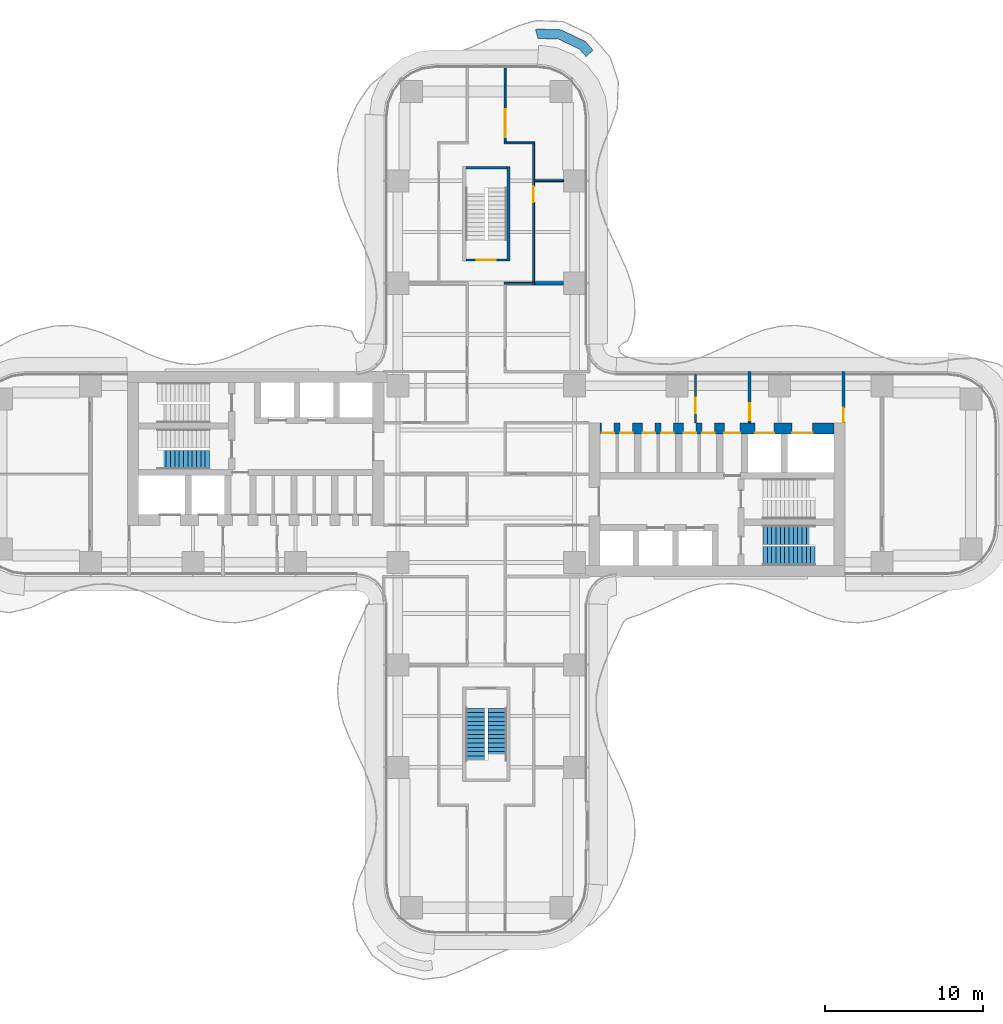
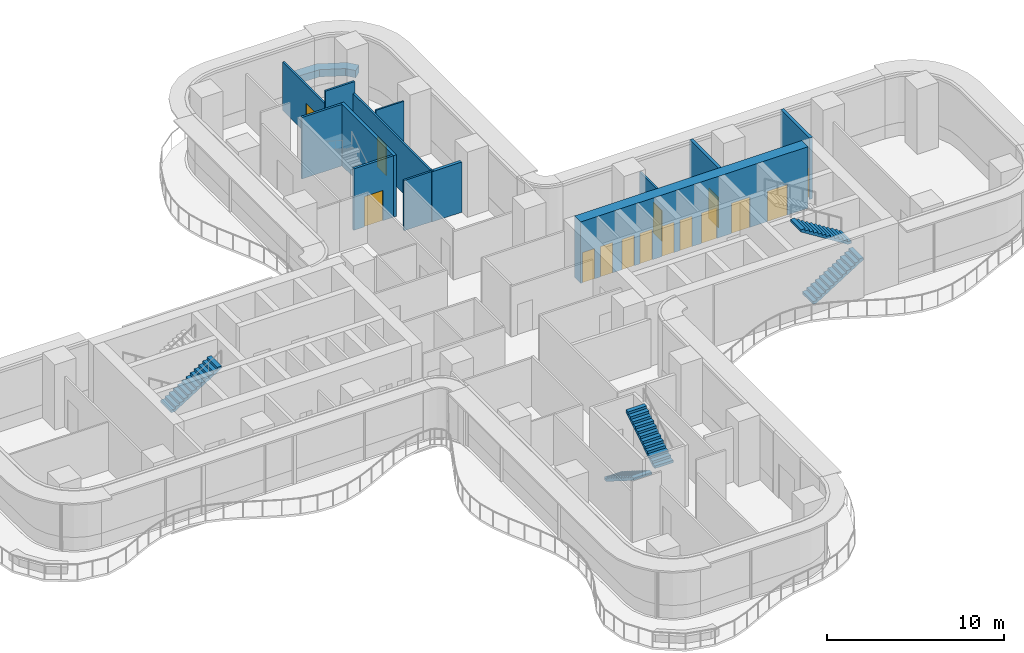
# One storey, part 20 of 23: 15 doors, 14 walls, 5 stair flights, 15 openings, 3 elements without a shape of their own.
"""IFC4 building model written with IfcOpenShell, lengths in metres."""

from ifc_helpers import new_model, si_unit, direction, frame, frame_2d, origin, place, context, subcontext, project, spatial, polyline, rectangle, outline, extrude, source, transform, mapped, material, layer, layer_set, type_object, element, fill, aggregate, save


model = new_model("IFC4")

# Units and contexts
model_context = context("Model", 3, precision=1e-05, world=origin(), true_north=direction((0.0, 1.0)))
body_context = subcontext(model_context, "Body", "Model", "MODEL_VIEW")
ifc_project = project(units=[si_unit("LENGTHUNIT", "METRE"), si_unit("AREAUNIT", "SQUARE_METRE"), si_unit("VOLUMEUNIT", "CUBIC_METRE"), si_unit("PLANEANGLEUNIT", "RADIAN"), si_unit("MASSUNIT", "GRAM", prefix="KILO")], contexts=[model_context])

# Site, building, storey
site_placement = place(None, origin())
site = spatial("IfcSite", under=ifc_project, at=site_placement, CompositionType="ELEMENT")
building_placement = place(site_placement, origin())
building = spatial("IfcBuilding", under=site, at=building_placement, Name="Trellis Farm Tower", CompositionType="ELEMENT")
storey_placement = place(building_placement, frame((0.0, 0.0, 74.5)))
storey = spatial("IfcBuildingStorey", under=building, at=storey_placement, Name="L15", CompositionType="ELEMENT", Elevation=74.5)

# Wall
ifc_material_1 = material(Name="Sandstone faced masonry planter", Category="masonry")
ifc_layer_1 = layer(ifc_material_1, 0.60009765625)
ifc_layer_set_1 = layer_set([ifc_layer_1], Name="PLANTER BED 600")
wall_type_1 = type_object("IfcWallType", Name="PLANTER BED 600", PredefinedType="USERDEFINED", material=ifc_layer_set_1)
placement = place(storey_placement, origin())
element("IfcWall", 1, at=placement, inside=storey, type_object=wall_type_1, Name="PLANTER bed", ObjectType="PLANTER", PredefinedType="USERDEFINED", context=body_context, shape_type="SweptSolid", body=[
    extrude(outline(polyline([(4.738525390625, 28.17626953125), (6.285400390625, 27.433349609375), (6.773193359375, 26.87353515625), (6.32080078125, 26.4794921875), (5.914306640625, 26.946044921875), (4.592529296875, 27.580810546875), (3.32470703125, 27.622802734375), (3.28515625, 27.611572265625), (3.1201171875, 28.1884765625), (3.250244140625, 28.2255859375), (4.738525390625, 28.17626953125)])), origin(), (0.0, 0.0, 1.0), 0.5),
])

# Wall, opening, door
ifc_material_2 = material(Name="Masonry blockwork", Category="masonry")
ifc_layer_2 = layer(ifc_material_2, 0.199951171875)
ifc_layer_set_2 = layer_set([ifc_layer_2], Name="FIRE LOBBY PARTITION 200 BLOCKWORK")
wall_type_2 = type_object("IfcWallType", Name="FIRE LOBBY PARTITION 200 BLOCKWORK", PredefinedType="PARTITIONING", material=ifc_layer_set_2)
shared_shape_1 = source(origin(), body_context, "Body", "SweptSolid", [
    extrude(rectangle(XDim=3.25, YDim=0.199951171875, at=frame_2d((1.625, 0.0))), origin(), (0.0, 0.0, 1.0), 4.25),
])
wall_2_placement = place(storey_placement, frame((16.699951171875, 3.25, 0.0), z_axis=(0.0, 0.0, 1.0), x_axis=(0.0, 1.0, 0.0)))
wall_2 = element("IfcWall", 2, at=wall_2_placement, inside=storey, type_object=wall_type_2, Name="Fire-fighting lobby partition", PredefinedType="PARTITIONING", context=body_context, shape_type="MappedRepresentation", body=[
    mapped(shared_shape_1, transform((0.0, 0.0, 0.0))),
])
shared_shape_2 = source(origin(), body_context, "Body", "SweptSolid", [
    extrude(rectangle(XDim=1.10009765625, YDim=2.10009765625, at=frame_2d((0.550048828125, 1.050048828125))), frame((0.0, 0.110107421875, 0.0), z_axis=(0.0, -1.0, 0.0), x_axis=(1.0, 0.0, 0.0)), (0.0, 0.0, 1.0), 0.22021484375),
])
opening_1_placement = place(wall_2_placement, frame((0.14990234375, 0.0, 0.0)))
opening_1 = element("IfcOpeningElement", 3, at=opening_1_placement, cuts=wall_2, Name="Opening DC7", PredefinedType="OPENING", context=body_context, shape_type="MappedRepresentation", body=[
    mapped(shared_shape_2, transform((0.0, 0.0, 0.0))),
])
ifc_material_3 = material(Name="Steel", Category="steel")
door_type_1 = type_object("IfcDoorType", Name="CORE FIRE DOOR 1100 X 2100", OperationType="NOTDEFINED", PredefinedType="DOOR", material=ifc_material_3)
shared_shape_3 = source(origin(), body_context, "Body", "SweptSolid", [
    extrude(rectangle(XDim=1.10009765625, YDim=2.10009765625, at=frame_2d((0.550048828125, 1.050048828125))), frame((0.0, 0.02490234375, 0.0), z_axis=(0.0, -1.0, 0.0), x_axis=(1.0, 0.0, 0.0)), (0.0, 0.0, 1.0), 0.050048828125),
])
door_1_placement = place(opening_1_placement, origin())
door_1 = element("IfcDoor", 4, at=door_1_placement, inside=storey, type_object=door_type_1, Name="Core door", OperationType="SINGLE_SWING_RIGHT", OverallHeight=2.10009765625, OverallWidth=1.10009765625, PredefinedType="DOOR", context=body_context, shape_type="MappedRepresentation", body=[
    mapped(shared_shape_3, transform((0.0, 0.0, 0.0))),
])
fill(opening_1, door_1)

wall_3_placement = place(storey_placement, frame((22.64990234375, 3.25, 0.0), z_axis=(0.0, 0.0, 1.0), x_axis=(0.0, 1.0, 0.0)))
wall_3 = element("IfcWall", 5, at=wall_3_placement, inside=storey, type_object=wall_type_2, Name="Fire-fighting lobby partition", PredefinedType="PARTITIONING", context=body_context, shape_type="MappedRepresentation", body=[
    mapped(shared_shape_1, transform((0.0, 0.0, 0.0))),
])
shared_shape_4 = source(origin(), body_context, "Body", "SweptSolid", [
    extrude(rectangle(XDim=0.89990234375, YDim=2.10009765625, at=frame_2d((0.449951171875, 1.050048828125))), frame((0.0, 0.110107421875, 0.0), z_axis=(0.0, -1.0, 0.0), x_axis=(1.0, 0.0, 0.0)), (0.0, 0.0, 1.0), 0.22021484375),
])
opening_2_placement = place(wall_3_placement, frame((0.050048828125, 0.0, 0.0)))
opening_2 = element("IfcOpeningElement", 6, at=opening_2_placement, cuts=wall_3, Name="Opening DC8", PredefinedType="OPENING", context=body_context, shape_type="MappedRepresentation", body=[
    mapped(shared_shape_4, transform((0.0, 0.0, 0.0))),
])
door_type_2 = type_object("IfcDoorType", Name="CORE FIRE DOOR 900 X 2100", OperationType="NOTDEFINED", PredefinedType="DOOR", material=ifc_material_3)
shared_shape_5 = source(origin(), body_context, "Body", "SweptSolid", [
    extrude(rectangle(XDim=0.89990234375, YDim=2.10009765625, at=frame_2d((0.449951171875, 1.050048828125))), frame((0.0, 0.02490234375, 0.0), z_axis=(0.0, -1.0, 0.0), x_axis=(1.0, 0.0, 0.0)), (0.0, 0.0, 1.0), 0.050048828125),
])
door_2_placement = place(opening_2_placement, origin())
door_2 = element("IfcDoor", 7, at=door_2_placement, inside=storey, type_object=door_type_2, Name="Core door", OperationType="SINGLE_SWING_RIGHT", OverallHeight=2.10009765625, OverallWidth=0.89990234375, PredefinedType="DOOR", context=body_context, shape_type="MappedRepresentation", body=[
    mapped(shared_shape_5, transform((0.0, 0.0, 0.0))),
])
fill(opening_2, door_2)

# Wall, openings, doors
ifc_material_4 = material(Name="Concrete C80/95", Category="concrete")
ifc_layer_3 = layer(ifc_material_4, 0.699951171875)
ifc_layer_set_3 = layer_set([ifc_layer_3], Name="CORE OUTER WALL 700 CONCRETE C80/95")
wall_type_3 = type_object("IfcWallType", Name="CORE OUTER WALL 700 CONCRETE C80/95", PredefinedType="SHEAR", material=ifc_layer_set_3)
shared_shape_6 = source(origin(), body_context, "Body", "SweptSolid", [
    extrude(rectangle(XDim=14.85009765625, YDim=0.699951171875, at=frame_2d((7.425048828125, 0.0))), origin(), (0.0, 0.0, 1.0), 4.25),
])
wall_4_placement = place(storey_placement, frame((7.199951171875, 2.89990234375, 0.0), z_axis=(0.0, 0.0, 1.0), x_axis=(1.0, 0.0, 0.0)))
wall_4 = element("IfcWall", 8, at=wall_4_placement, inside=storey, type_object=wall_type_3, Name="Core wall", PredefinedType="SHEAR", context=body_context, shape_type="MappedRepresentation", body=[
    mapped(shared_shape_6, transform((0.0, 0.0, 0.0))),
])
shared_shape_7 = source(origin(), body_context, "Body", "SweptSolid", [
    extrude(rectangle(XDim=1.300048828125, YDim=2.10009765625, at=frame_2d((0.64990234375, 1.050048828125))), frame((0.0, 0.360107421875, 0.0), z_axis=(0.0, -1.0, 0.0), x_axis=(1.0, 0.0, 0.0)), (0.0, 0.0, 1.0), 0.72021484375),
])
opening_3_placement = place(wall_4_placement, frame((12.199951171875, 0.0, 0.0)))
opening_3 = element("IfcOpeningElement", 9, at=opening_3_placement, cuts=wall_4, Name="Opening LD7", PredefinedType="OPENING", context=body_context, shape_type="MappedRepresentation", body=[
    mapped(shared_shape_7, transform((0.0, 0.0, 0.0))),
])
shared_shape_8 = source(origin(), body_context, "Body", "SweptSolid", [
    extrude(rectangle(XDim=1.199951171875, YDim=2.10009765625, at=frame_2d((0.60009765625, 1.050048828125))), frame((0.0, 0.360107421875, 0.0), z_axis=(0.0, -1.0, 0.0), x_axis=(1.0, 0.0, 0.0)), (0.0, 0.0, 1.0), 0.72021484375),
])
opening_4_placement = place(wall_4_placement, frame((9.85009765625, 0.0, 0.0)))
opening_4 = element("IfcOpeningElement", 10, at=opening_4_placement, cuts=wall_4, Name="Opening LD8", PredefinedType="OPENING", context=body_context, shape_type="MappedRepresentation", body=[
    mapped(shared_shape_8, transform((0.0, 0.0, 0.0))),
])
shared_shape_9 = source(origin(), body_context, "Body", "SweptSolid", [
    extrude(rectangle(XDim=1.0, YDim=2.10009765625, at=frame_2d((0.5, 1.050048828125))), frame((0.0, 0.360107421875, 0.0), z_axis=(0.0, -1.0, 0.0), x_axis=(1.0, 0.0, 0.0)), (0.0, 0.0, 1.0), 0.72021484375),
])
opening_5_placement = place(wall_4_placement, frame((7.89990234375, 0.0, 0.0)))
opening_5 = element("IfcOpeningElement", 11, at=opening_5_placement, cuts=wall_4, Name="Opening DC6", PredefinedType="OPENING", context=body_context, shape_type="MappedRepresentation", body=[
    mapped(shared_shape_9, transform((0.0, 0.0, 0.0))),
])
shared_shape_10 = source(origin(), body_context, "Body", "SweptSolid", [
    extrude(rectangle(XDim=0.800048828125, YDim=2.10009765625, at=frame_2d((0.39990234375, 1.050048828125))), frame((0.0, 0.360107421875, 0.0), z_axis=(0.0, -1.0, 0.0), x_axis=(1.0, 0.0, 0.0)), (0.0, 0.0, 1.0), 0.72021484375),
])
opening_6_placement = place(wall_4_placement, frame((0.112548828125, 0.0, 0.0)))
opening_6 = element("IfcOpeningElement", 12, at=opening_6_placement, cuts=wall_4, Name="Opening DC9", PredefinedType="OPENING", context=body_context, shape_type="MappedRepresentation", body=[
    mapped(shared_shape_10, transform((0.0, 0.0, 0.0))),
])
opening_7_placement = place(wall_4_placement, frame((1.28759765625, 0.0, 0.0)))
opening_7 = element("IfcOpeningElement", 13, at=opening_7_placement, cuts=wall_4, Name="Opening DC16", PredefinedType="OPENING", context=body_context, shape_type="MappedRepresentation", body=[
    mapped(shared_shape_10, transform((0.0, 0.0, 0.0))),
])
opening_8_placement = place(wall_4_placement, frame((2.71240234375, 0.0, 0.0)))
opening_8 = element("IfcOpeningElement", 14, at=opening_8_placement, cuts=wall_4, Name="Opening DC21", PredefinedType="OPENING", context=body_context, shape_type="MappedRepresentation", body=[
    mapped(shared_shape_10, transform((0.0, 0.0, 0.0))),
])
opening_9_placement = place(wall_4_placement, frame((3.887451171875, 0.0, 0.0)))
opening_9 = element("IfcOpeningElement", 15, at=opening_9_placement, cuts=wall_4, Name="Opening DC28", PredefinedType="OPENING", context=body_context, shape_type="MappedRepresentation", body=[
    mapped(shared_shape_10, transform((0.0, 0.0, 0.0))),
])
opening_10_placement = place(wall_4_placement, frame((5.3125, 0.0, 0.0)))
opening_10 = element("IfcOpeningElement", 16, at=opening_10_placement, cuts=wall_4, Name="Opening DC33", PredefinedType="OPENING", context=body_context, shape_type="MappedRepresentation", body=[
    mapped(shared_shape_10, transform((0.0, 0.0, 0.0))),
])
opening_11_placement = place(wall_4_placement, frame((6.487548828125, 0.0, 0.0)))
opening_11 = element("IfcOpeningElement", 17, at=opening_11_placement, cuts=wall_4, Name="Opening DC40", PredefinedType="OPENING", context=body_context, shape_type="MappedRepresentation", body=[
    mapped(shared_shape_10, transform((0.0, 0.0, 0.0))),
])
door_type_3 = type_object("IfcDoorType", Name="CORE FIRE DOOR 1000 X 2100", OperationType="NOTDEFINED", PredefinedType="DOOR", material=ifc_material_3)
shared_shape_11 = source(origin(), body_context, "Body", "SweptSolid", [
    extrude(rectangle(XDim=1.0, YDim=2.10009765625, at=frame_2d((0.5, 1.050048828125))), frame((0.0, -0.27490234375, 0.0), z_axis=(0.0, -1.0, 0.0), x_axis=(1.0, 0.0, 0.0)), (0.0, 0.0, 1.0), 0.050048828125),
])
door_3_placement = place(opening_5_placement, origin())
door_3 = element("IfcDoor", 18, at=door_3_placement, inside=storey, type_object=door_type_3, Name="Core door", OperationType="SINGLE_SWING_LEFT", OverallHeight=2.10009765625, OverallWidth=1.0, PredefinedType="DOOR", context=body_context, shape_type="MappedRepresentation", body=[
    mapped(shared_shape_11, transform((0.0, 0.0, 0.0))),
])
fill(opening_5, door_3)
ifc_material_5 = material(Name="Stainless steel", Category="steel")
door_type_4 = type_object("IfcDoorType", Name="LIFT LANDING DOOR 1300 X 2100", OperationType="DOUBLE_DOOR_SLIDING", PredefinedType="DOOR", material=ifc_material_5)
shared_shape_12 = source(origin(), body_context, "Body", "SweptSolid", [
    extrude(rectangle(XDim=1.300048828125, YDim=2.10009765625, at=frame_2d((0.64990234375, 1.050048828125))), frame((0.0, -0.27490234375, 0.0), z_axis=(0.0, -1.0, 0.0), x_axis=(1.0, 0.0, 0.0)), (0.0, 0.0, 1.0), 0.050048828125),
])
door_4_placement = place(opening_3_placement, origin())
door_4 = element("IfcDoor", 19, at=door_4_placement, inside=storey, type_object=door_type_4, Name="Lift landing door", OperationType="DOUBLE_DOOR_SLIDING", OverallHeight=2.10009765625, OverallWidth=1.300048828125, PredefinedType="DOOR", context=body_context, shape_type="MappedRepresentation", body=[
    mapped(shared_shape_12, transform((0.0, 0.0, 0.0))),
])
fill(opening_3, door_4)
door_type_5 = type_object("IfcDoorType", Name="LIFT LANDING DOOR 1200 X 2100", OperationType="DOUBLE_DOOR_SLIDING", PredefinedType="DOOR", material=ifc_material_5)
shared_shape_13 = source(origin(), body_context, "Body", "SweptSolid", [
    extrude(rectangle(XDim=1.199951171875, YDim=2.10009765625, at=frame_2d((0.60009765625, 1.050048828125))), frame((0.0, -0.27490234375, 0.0), z_axis=(0.0, -1.0, 0.0), x_axis=(1.0, 0.0, 0.0)), (0.0, 0.0, 1.0), 0.050048828125),
])
door_5_placement = place(opening_4_placement, origin())
door_5 = element("IfcDoor", 20, at=door_5_placement, inside=storey, type_object=door_type_5, Name="Lift landing door", OperationType="DOUBLE_DOOR_SLIDING", OverallHeight=2.10009765625, OverallWidth=1.199951171875, PredefinedType="DOOR", context=body_context, shape_type="MappedRepresentation", body=[
    mapped(shared_shape_13, transform((0.0, 0.0, 0.0))),
])
fill(opening_4, door_5)
door_type_6 = type_object("IfcDoorType", Name="CORE FIRE DOOR 800 X 2100", OperationType="NOTDEFINED", PredefinedType="DOOR", material=ifc_material_3)
shared_shape_14 = source(origin(), body_context, "Body", "SweptSolid", [
    extrude(rectangle(XDim=0.800048828125, YDim=2.10009765625, at=frame_2d((0.39990234375, 1.050048828125))), frame((0.0, -0.27490234375, 0.0), z_axis=(0.0, -1.0, 0.0), x_axis=(1.0, 0.0, 0.0)), (0.0, 0.0, 1.0), 0.050048828125),
])
door_6_placement = place(opening_6_placement, origin())
door_6 = element("IfcDoor", 21, at=door_6_placement, inside=storey, type_object=door_type_6, Name="Core door", OperationType="SINGLE_SWING_LEFT", OverallHeight=2.10009765625, OverallWidth=0.800048828125, PredefinedType="DOOR", context=body_context, shape_type="MappedRepresentation", body=[
    mapped(shared_shape_14, transform((0.0, 0.0, 0.0))),
])
fill(opening_6, door_6)
door_7_placement = place(opening_7_placement, origin())
door_7 = element("IfcDoor", 22, at=door_7_placement, inside=storey, type_object=door_type_6, Name="Core door", OperationType="SINGLE_SWING_RIGHT", OverallHeight=2.10009765625, OverallWidth=0.800048828125, PredefinedType="DOOR", context=body_context, shape_type="MappedRepresentation", body=[
    mapped(shared_shape_14, transform((0.0, 0.0, 0.0))),
])
fill(opening_7, door_7)
door_8_placement = place(opening_8_placement, origin())
door_8 = element("IfcDoor", 23, at=door_8_placement, inside=storey, type_object=door_type_6, Name="Core door", OperationType="SINGLE_SWING_LEFT", OverallHeight=2.10009765625, OverallWidth=0.800048828125, PredefinedType="DOOR", context=body_context, shape_type="MappedRepresentation", body=[
    mapped(shared_shape_14, transform((0.0, 0.0, 0.0))),
])
fill(opening_8, door_8)
door_9_placement = place(opening_9_placement, origin())
door_9 = element("IfcDoor", 24, at=door_9_placement, inside=storey, type_object=door_type_6, Name="Core door", OperationType="SINGLE_SWING_RIGHT", OverallHeight=2.10009765625, OverallWidth=0.800048828125, PredefinedType="DOOR", context=body_context, shape_type="MappedRepresentation", body=[
    mapped(shared_shape_14, transform((0.0, 0.0, 0.0))),
])
fill(opening_9, door_9)
door_10_placement = place(opening_10_placement, origin())
door_10 = element("IfcDoor", 25, at=door_10_placement, inside=storey, type_object=door_type_6, Name="Core door", OperationType="SINGLE_SWING_LEFT", OverallHeight=2.10009765625, OverallWidth=0.800048828125, PredefinedType="DOOR", context=body_context, shape_type="MappedRepresentation", body=[
    mapped(shared_shape_14, transform((0.0, 0.0, 0.0))),
])
fill(opening_10, door_10)
door_11_placement = place(opening_11_placement, origin())
door_11 = element("IfcDoor", 26, at=door_11_placement, inside=storey, type_object=door_type_6, Name="Core door", OperationType="SINGLE_SWING_RIGHT", OverallHeight=2.10009765625, OverallWidth=0.800048828125, PredefinedType="DOOR", context=body_context, shape_type="MappedRepresentation", body=[
    mapped(shared_shape_14, transform((0.0, 0.0, 0.0))),
])
fill(opening_11, door_11)

# Wall
ifc_layer_4 = layer(ifc_material_4, 0.199951171875)
ifc_layer_set_4 = layer_set([ifc_layer_4], Name="CORE STAIR ENCLOSURE WALL 200 CONCRETE C80/95")
wall_type_4 = type_object("IfcWallType", Name="CORE STAIR ENCLOSURE WALL 200 CONCRETE C80/95", PredefinedType="SHEAR", material=ifc_layer_set_4)
shared_shape_15 = source(origin(), body_context, "Body", "SweptSolid", [
    extrude(rectangle(XDim=6.0, YDim=0.199951171875, at=frame_2d((3.0, 0.0))), origin(), (0.0, 0.0, 1.0), 4.25),
])
wall_5_placement = place(storey_placement, frame((1.39990234375, 13.5, 0.0), z_axis=(0.0, 0.0, 1.0), x_axis=(0.0, 1.0, 0.0)))
element("IfcWall", 27, at=wall_5_placement, inside=storey, type_object=wall_type_4, Name="Stair enclosure wall", PredefinedType="SHEAR", context=body_context, shape_type="MappedRepresentation", body=[
    mapped(shared_shape_15, transform((0.0, 0.0, 0.0))),
])

# Wall, opening, door
ifc_layer_5 = layer(ifc_material_4, 0.14990234375)
ifc_layer_set_5 = layer_set([ifc_layer_5], Name="CORE STAIR ENCLOSURE WALL 150 CONCRETE C80/95")
wall_type_5 = type_object("IfcWallType", Name="CORE STAIR ENCLOSURE WALL 150 CONCRETE C80/95", PredefinedType="SHEAR", material=ifc_layer_set_5)
shared_shape_16 = source(origin(), body_context, "Body", "SweptSolid", [
    extrude(rectangle(XDim=2.60009765625, YDim=0.14990234375, at=frame_2d((1.300048828125, 0.0))), origin(), (0.0, 0.0, 1.0), 4.25),
])
wall_6_placement = place(storey_placement, frame((-1.300048828125, 13.574951171875, 0.0), z_axis=(0.0, 0.0, 1.0), x_axis=(1.0, 0.0, 0.0)))
wall_6 = element("IfcWall", 28, at=wall_6_placement, inside=storey, type_object=wall_type_5, Name="Stair enclosure wall", PredefinedType="SHEAR", context=body_context, shape_type="MappedRepresentation", body=[
    mapped(shared_shape_16, transform((0.0, 0.0, 0.0))),
])
shared_shape_17 = source(origin(), body_context, "Body", "SweptSolid", [
    extrude(rectangle(XDim=1.199951171875, YDim=2.10009765625, at=frame_2d((0.60009765625, 1.050048828125))), frame((0.0, 0.0849609375, 0.0), z_axis=(0.0, -1.0, 0.0), x_axis=(1.0, 0.0, 0.0)), (0.0, 0.0, 1.0), 0.169921875),
])
opening_12_placement = place(wall_6_placement, frame((0.699951171875, 0.0, 0.0)))
opening_12 = element("IfcOpeningElement", 29, at=opening_12_placement, cuts=wall_6, Name="Opening DC173", PredefinedType="OPENING", context=body_context, shape_type="MappedRepresentation", body=[
    mapped(shared_shape_17, transform((0.0, 0.0, 0.0))),
])
door_type_7 = type_object("IfcDoorType", Name="CORE FIRE DOOR 1200 X 2100", OperationType="NOTDEFINED", PredefinedType="DOOR", material=ifc_material_3)
shared_shape_18 = source(origin(), body_context, "Body", "SweptSolid", [
    extrude(rectangle(XDim=1.199951171875, YDim=2.10009765625, at=frame_2d((0.60009765625, 1.050048828125))), frame((0.0, 0.02490234375, 0.0), z_axis=(0.0, -1.0, 0.0), x_axis=(1.0, 0.0, 0.0)), (0.0, 0.0, 1.0), 0.050048828125),
])
door_12_placement = place(opening_12_placement, origin())
door_12 = element("IfcDoor", 30, at=door_12_placement, inside=storey, type_object=door_type_7, Name="Core door", OperationType="SINGLE_SWING_LEFT", OverallHeight=2.10009765625, OverallWidth=1.199951171875, PredefinedType="DOOR", context=body_context, shape_type="MappedRepresentation", body=[
    mapped(shared_shape_18, transform((0.0, 0.0, 0.0))),
])
fill(opening_12, door_12)

# Walls
wall_7_placement = place(storey_placement, frame((-1.300048828125, 19.425048828125, 0.0), z_axis=(0.0, 0.0, 1.0), x_axis=(1.0, 0.0, 0.0)))
element("IfcWall", 31, at=wall_7_placement, inside=storey, type_object=wall_type_5, Name="Stair enclosure wall", PredefinedType="SHEAR", context=body_context, shape_type="MappedRepresentation", body=[
    mapped(shared_shape_16, transform((0.0, 0.0, 0.0))),
])
ifc_material_6 = material(Name="Plasterboard on steel studs, mineral wool", Category="steel")
ifc_layer_6 = layer(ifc_material_6, 0.125)
ifc_layer_set_6 = layer_set([ifc_layer_6], Name="PARTITION 125 STUD EI 60")
wall_type_6 = type_object("IfcWallType", Name="PARTITION 125 STUD EI 60", PredefinedType="PARTITIONING", material=ifc_layer_set_6)
shared_shape_19 = source(origin(), body_context, "Body", "SweptSolid", [
    extrude(rectangle(XDim=1.925048828125, YDim=0.125, at=frame_2d((0.96240234375, 0.0))), origin(), (0.0, 0.0, 1.0), 3.4677734375),
])
wall_8_placement = place(storey_placement, frame((3.0625, 12.10009765625, 0.0), z_axis=(0.0, 0.0, 1.0), x_axis=(-1.0, 0.0, 0.0)))
element("IfcWall", 32, at=wall_8_placement, inside=storey, type_object=wall_type_6, Name="Partition PW1", PredefinedType="PARTITIONING", context=body_context, shape_type="MappedRepresentation", body=[
    mapped(shared_shape_19, transform((0.0, 0.0, 0.0))),
])
ifc_material_7 = material(Name="Lightweight blockwork, plastered", Category="masonry")
ifc_layer_7 = layer(ifc_material_7, 0.199951171875)
ifc_layer_set_7 = layer_set([ifc_layer_7], Name="BLOCK WALL 200 EI 120")
wall_type_7 = type_object("IfcWallType", Name="BLOCK WALL 200 EI 120", PredefinedType="PARTITIONING", material=ifc_layer_set_7)
shared_shape_20 = source(origin(), body_context, "Body", "SweptSolid", [
    extrude(rectangle(XDim=1.96240234375, YDim=0.199951171875, at=frame_2d((0.981201171875, 0.0))), origin(), (0.0, 0.0, 1.0), 3.4677734375),
])
wall_9_placement = place(storey_placement, frame((2.9375, 12.10009765625, 0.0), z_axis=(0.0, 0.0, 1.0), x_axis=(1.0, 0.0, 0.0)))
element("IfcWall", 33, at=wall_9_placement, inside=storey, type_object=wall_type_7, Name="Partition PW3", PredefinedType="PARTITIONING", context=body_context, shape_type="MappedRepresentation", body=[
    mapped(shared_shape_20, transform((0.0, 0.0, 0.0))),
])

# Wall, opening, door
shared_shape_21 = source(origin(), body_context, "Body", "SweptSolid", [
    extrude(rectangle(XDim=8.737548828125, YDim=0.125, at=frame_2d((4.36865234375, 0.0))), origin(), (0.0, 0.0, 1.0), 3.4677734375),
])
wall_10_placement = place(storey_placement, frame((3.0, 20.9375, 0.0), z_axis=(0.0, 0.0, 1.0), x_axis=(0.0, -1.0, 0.0)))
wall_10 = element("IfcWall", 34, at=wall_10_placement, inside=storey, type_object=wall_type_6, Name="Partition PW1", PredefinedType="PARTITIONING", context=body_context, shape_type="MappedRepresentation", body=[
    mapped(shared_shape_21, transform((0.0, 0.0, 0.0))),
])
shared_shape_22 = source(origin(), body_context, "Body", "SweptSolid", [
    extrude(rectangle(XDim=1.0, YDim=2.10009765625, at=frame_2d((0.5, 1.050048828125))), frame((0.0, 0.072509765625, 0.0), z_axis=(0.0, -1.0, 0.0), x_axis=(1.0, 0.0, 0.0)), (0.0, 0.0, 1.0), 0.14501953125),
])
opening_13_placement = place(wall_10_placement, frame((2.6875, 0.0, 0.0)))
opening_13 = element("IfcOpeningElement", 35, at=opening_13_placement, cuts=wall_10, Name="Opening D109", PredefinedType="OPENING", context=body_context, shape_type="MappedRepresentation", body=[
    mapped(shared_shape_22, transform((0.0, 0.0, 0.0))),
])
ifc_material_8 = material(Name="Fire-rated timber door leaf in a hollow metal frame", Category="wood")
door_type_8 = type_object("IfcDoorType", Name="DOOR 1000x2100 FD30S", OperationType="NOTDEFINED", PredefinedType="DOOR", material=ifc_material_8)
shared_shape_23 = source(origin(), body_context, "Body", "SweptSolid", [
    extrude(rectangle(XDim=1.0, YDim=2.10009765625, at=frame_2d((0.5, 1.050048828125))), frame((0.0, 0.02490234375, 0.0), z_axis=(0.0, -1.0, 0.0), x_axis=(1.0, 0.0, 0.0)), (0.0, 0.0, 1.0), 0.050048828125),
])
door_13_placement = place(opening_13_placement, origin())
door_13 = element("IfcDoor", 36, at=door_13_placement, inside=storey, type_object=door_type_8, Name="Door D109", OperationType="SINGLE_SWING_LEFT", OverallHeight=2.10009765625, OverallWidth=1.0, PredefinedType="DOOR", context=body_context, shape_type="MappedRepresentation", body=[
    mapped(shared_shape_23, transform((0.0, 0.0, 0.0))),
])
fill(opening_13, door_13)

# Wall
shared_shape_24 = source(origin(), body_context, "Body", "SweptSolid", [
    extrude(rectangle(XDim=1.925048828125, YDim=0.125, at=frame_2d((0.96240234375, 0.0))), origin(), (0.0, 0.0, 1.0), 4.25),
])
wall_11_placement = place(storey_placement, frame((1.137451171875, 21.0, 0.0), z_axis=(0.0, 0.0, 1.0), x_axis=(1.0, 0.0, 0.0)))
element("IfcWall", 37, at=wall_11_placement, inside=storey, type_object=wall_type_6, Name="Partition PW1", PredefinedType="PARTITIONING", context=body_context, shape_type="MappedRepresentation", body=[
    mapped(shared_shape_24, transform((0.0, 0.0, 0.0))),
])

# Wall, opening, door
shared_shape_25 = source(origin(), body_context, "Body", "SweptSolid", [
    extrude(rectangle(XDim=3.050048828125, YDim=0.125, at=frame_2d((1.52490234375, 0.0))), origin(), (0.0, 0.0, 1.0), 3.330078125),
])
wall_12_placement = place(storey_placement, frame((13.26708984375, 3.25, 0.0), z_axis=(0.0, 0.0, 1.0), x_axis=(0.0, 1.0, 0.0)))
wall_12 = element("IfcWall", 38, at=wall_12_placement, inside=storey, type_object=wall_type_6, Name="Partition PW1", PredefinedType="PARTITIONING", context=body_context, shape_type="MappedRepresentation", body=[
    mapped(shared_shape_25, transform((0.0, 0.0, 0.0))),
])
opening_14_placement = place(wall_12_placement, frame((0.60009765625, 0.0, 0.0)))
opening_14 = element("IfcOpeningElement", 39, at=opening_14_placement, cuts=wall_12, Name="Opening D304", PredefinedType="OPENING", context=body_context, shape_type="MappedRepresentation", body=[
    mapped(shared_shape_22, transform((0.0, 0.0, 0.0))),
])
door_type_9 = type_object("IfcDoorType", Name="DOOR 1000x2100 FD60", OperationType="NOTDEFINED", PredefinedType="DOOR", material=ifc_material_8)
door_14_placement = place(opening_14_placement, origin())
door_14 = element("IfcDoor", 40, at=door_14_placement, inside=storey, type_object=door_type_9, Name="Door D304", OperationType="SINGLE_SWING_LEFT", OverallHeight=2.10009765625, OverallWidth=1.0, PredefinedType="DOOR", context=body_context, shape_type="MappedRepresentation", body=[
    mapped(shared_shape_23, transform((0.0, 0.0, 0.0))),
])
fill(opening_14, door_14)

# Wall
ifc_material_9 = material(Name="Plasterboard on steel studs", Category="steel")
ifc_layer_8 = layer(ifc_material_9, 0.10009765625)
ifc_layer_set_8 = layer_set([ifc_layer_8], Name="PARTITION 100 STUD EI 30")
wall_type_8 = type_object("IfcWallType", Name="PARTITION 100 STUD EI 30", PredefinedType="PARTITIONING", material=ifc_layer_set_8)
shared_shape_26 = source(origin(), body_context, "Body", "SweptSolid", [
    extrude(rectangle(XDim=1.83740234375, YDim=0.10009765625, at=frame_2d((0.918701171875, 0.0))), origin(), (0.0, 0.0, 1.0), 3.697021484375),
])
wall_13_placement = place(storey_placement, frame((3.0625, 18.60009765625, 0.0), z_axis=(0.0, 0.0, 1.0), x_axis=(1.0, 0.0, 0.0)))
element("IfcWall", 41, at=wall_13_placement, inside=storey, type_object=wall_type_8, Name="Partition PW2", PredefinedType="PARTITIONING", context=body_context, shape_type="MappedRepresentation", body=[
    mapped(shared_shape_26, transform((0.0, 0.0, 0.0))),
])

# Wall, opening, door
shared_shape_27 = source(origin(), body_context, "Body", "SweptSolid", [
    extrude(rectangle(XDim=4.737548828125, YDim=0.125, at=frame_2d((2.36865234375, 0.0))), origin(), (0.0, 0.0, 1.0), 3.330078125),
])
wall_14_placement = place(storey_placement, frame((1.199951171875, 25.800048828125, 0.0), z_axis=(0.0, 0.0, 1.0), x_axis=(0.0, -1.0, 0.0)))
wall_14 = element("IfcWall", 42, at=wall_14_placement, inside=storey, type_object=wall_type_6, Name="Partition PW1", PredefinedType="PARTITIONING", context=body_context, shape_type="MappedRepresentation", body=[
    mapped(shared_shape_27, transform((0.0, 0.0, 0.0))),
])
shared_shape_28 = source(origin(), body_context, "Body", "SweptSolid", [
    extrude(rectangle(XDim=1.800048828125, YDim=2.10009765625, at=frame_2d((0.89990234375, 1.050048828125))), frame((0.0, 0.072509765625, 0.0), z_axis=(0.0, -1.0, 0.0), x_axis=(1.0, 0.0, 0.0)), (0.0, 0.0, 1.0), 0.14501953125),
])
opening_15_placement = place(wall_14_placement, frame((2.64990234375, 0.0, 0.0)))
opening_15 = element("IfcOpeningElement", 43, at=opening_15_placement, cuts=wall_14, Name="Opening D203", PredefinedType="OPENING", context=body_context, shape_type="MappedRepresentation", body=[
    mapped(shared_shape_28, transform((0.0, 0.0, 0.0))),
])
door_type_10 = type_object("IfcDoorType", Name="DOOR PAIR 1800x2100 FD30S", OperationType="NOTDEFINED", PredefinedType="DOOR", material=ifc_material_8)
shared_shape_29 = source(origin(), body_context, "Body", "SweptSolid", [
    extrude(rectangle(XDim=1.800048828125, YDim=2.10009765625, at=frame_2d((0.89990234375, 1.050048828125))), frame((0.0, 0.02490234375, 0.0), z_axis=(0.0, -1.0, 0.0), x_axis=(1.0, 0.0, 0.0)), (0.0, 0.0, 1.0), 0.050048828125),
])
door_15_placement = place(opening_15_placement, origin())
door_15 = element("IfcDoor", 44, at=door_15_placement, inside=storey, type_object=door_type_10, Name="Door D203", OperationType="DOUBLE_DOOR_SINGLE_SWING", OverallHeight=2.10009765625, OverallWidth=1.800048828125, PredefinedType="DOOR", context=body_context, shape_type="MappedRepresentation", body=[
    mapped(shared_shape_29, transform((0.0, 0.0, 0.0))),
])
fill(opening_15, door_15)

# Stair, stair flights
ifc_material_10 = material(Name="Concrete C50/60", Category="concrete")
stair_type = type_object("IfcStairType", Name="CORE EXIT STAIR 26 RISERS 173 MM", PredefinedType="HALF_TURN_STAIR", material=ifc_material_10)
stair_1 = element("IfcStair", 45, at=placement, inside=storey, type_object=stair_type, Name="Exit stair S", PredefinedType="HALF_TURN_STAIR")
stair_flight_type = type_object("IfcStairFlightType", Name="STAIR FLIGHT 13 RISERS 173 MM", PredefinedType="STRAIGHT", material=ifc_material_10)
shared_shape_30 = source(origin(), body_context, "Body", "SweptSolid", [
    extrude(outline(polyline([(0.0, 0.0), (0.0, 0.173095703125), (0.27490234375, 0.173095703125), (0.27490234375, 0.34619140625), (0.550048828125, 0.34619140625), (0.550048828125, 0.519287109375), (0.824951171875, 0.519287109375), (0.824951171875, 0.6923828125), (1.10009765625, 0.6923828125), (1.10009765625, 0.865478515625), (1.375, 0.865478515625), (1.375, 1.03857421875), (1.64990234375, 1.03857421875), (1.64990234375, 1.21142578125), (1.925048828125, 1.21142578125), (1.925048828125, 1.384521484375), (2.199951171875, 1.384521484375), (2.199951171875, 1.5576171875), (2.47509765625, 1.5576171875), (2.47509765625, 1.730712890625), (2.75, 1.730712890625), (2.75, 1.90380859375), (3.02490234375, 1.90380859375), (3.02490234375, 2.076904296875), (3.300048828125, 2.076904296875), (3.300048828125, 2.25), (3.300048828125, 1.92333984375), (0.243896484375, 0.0), (0.0, 0.0)])), frame((0.0, 0.60009765625, 0.0), z_axis=(0.0, -1.0, 0.0), x_axis=(1.0, 0.0, 0.0)), (0.0, 0.0, 1.0), 1.199951171875),
])
stair_flight_1_placement = place(storey_placement, frame((-0.699951171875, -14.85009765625, 0.0), z_axis=(0.0, 0.0, 1.0), x_axis=(0.0, -1.0, 0.0)))
stair_flight_1 = element("IfcStairFlight", 46, at=stair_flight_1_placement, type_object=stair_flight_type, Name="STS flight 1", NumberOfRisers=13, NumberOfTreads=12, PredefinedType="STRAIGHT", RiserHeight=0.173076923, TreadLength=0.275, context=body_context, shape_type="MappedRepresentation", body=[
    mapped(shared_shape_30, transform((0.0, 0.0, 0.0))),
])
stair_flight_2_placement = place(storey_placement, frame((0.699951171875, -18.14990234375, 2.25), z_axis=(0.0, 0.0, 1.0), x_axis=(0.0, 1.0, 0.0)))
stair_flight_2 = element("IfcStairFlight", 47, at=stair_flight_2_placement, type_object=stair_flight_type, Name="STS flight 2", NumberOfRisers=13, NumberOfTreads=12, PredefinedType="STRAIGHT", RiserHeight=0.173076923, TreadLength=0.275, context=body_context, shape_type="MappedRepresentation", body=[
    mapped(shared_shape_30, transform((0.0, 0.0, 0.0))),
])
aggregate(stair_1, [stair_flight_1, stair_flight_2])

stair_2 = element("IfcStair", 48, at=placement, inside=storey, type_object=stair_type, Name="Exit stair E1", PredefinedType="HALF_TURN_STAIR")
stair_flight_3_placement = place(storey_placement, frame((17.550048828125, -5.199951171875, 0.0), z_axis=(0.0, 0.0, 1.0), x_axis=(1.0, 0.0, 0.0)))
stair_flight_3 = element("IfcStairFlight", 49, at=stair_flight_3_placement, type_object=stair_flight_type, Name="STE1 flight 1", NumberOfRisers=13, NumberOfTreads=12, PredefinedType="STRAIGHT", RiserHeight=0.173076923, TreadLength=0.275, context=body_context, shape_type="MappedRepresentation", body=[
    mapped(shared_shape_30, transform((0.0, 0.0, 0.0))),
])
stair_flight_4_placement = place(storey_placement, frame((20.85009765625, -3.85009765625, 2.25), z_axis=(0.0, 0.0, 1.0), x_axis=(-1.0, 0.0, 0.0)))
stair_flight_4 = element("IfcStairFlight", 50, at=stair_flight_4_placement, type_object=stair_flight_type, Name="STE1 flight 2", NumberOfRisers=13, NumberOfTreads=12, PredefinedType="STRAIGHT", RiserHeight=0.173076923, TreadLength=0.275, context=body_context, shape_type="MappedRepresentation", body=[
    mapped(shared_shape_30, transform((0.0, 0.0, 0.0))),
])
aggregate(stair_2, [stair_flight_3, stair_flight_4])

# Stair, stair flight
stair_3 = element("IfcStair", 51, at=placement, inside=storey, type_object=stair_type, Name="Exit stair W2", PredefinedType="HALF_TURN_STAIR")
stair_flight_5_placement = place(storey_placement, frame((-20.85009765625, 0.89990234375, 2.25), z_axis=(0.0, 0.0, 1.0), x_axis=(1.0, 0.0, 0.0)))
stair_flight_5 = element("IfcStairFlight", 52, at=stair_flight_5_placement, type_object=stair_flight_type, Name="STW2 flight 2", NumberOfRisers=13, NumberOfTreads=12, PredefinedType="STRAIGHT", RiserHeight=0.173076923, TreadLength=0.275, context=body_context, shape_type="MappedRepresentation", body=[
    mapped(shared_shape_30, transform((0.0, 0.0, 0.0))),
])
aggregate(stair_3, [stair_flight_5])

save(model, "model.ifc")
